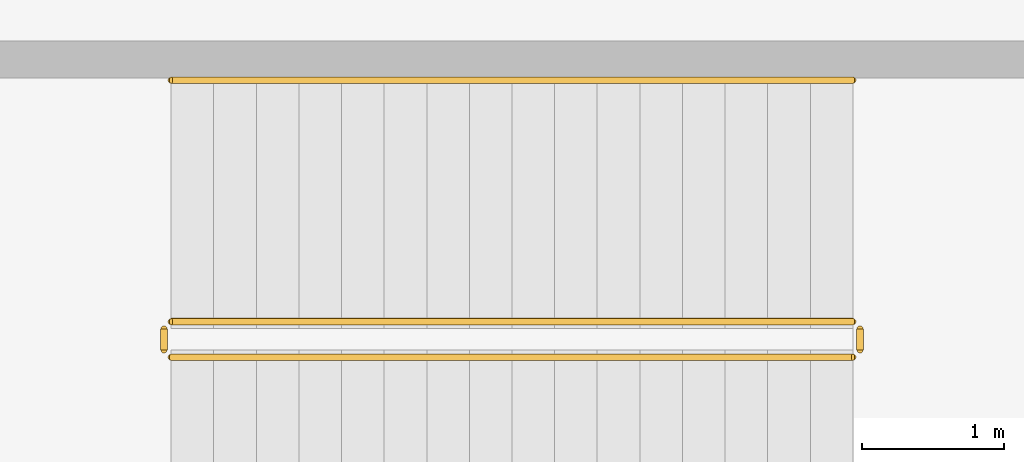
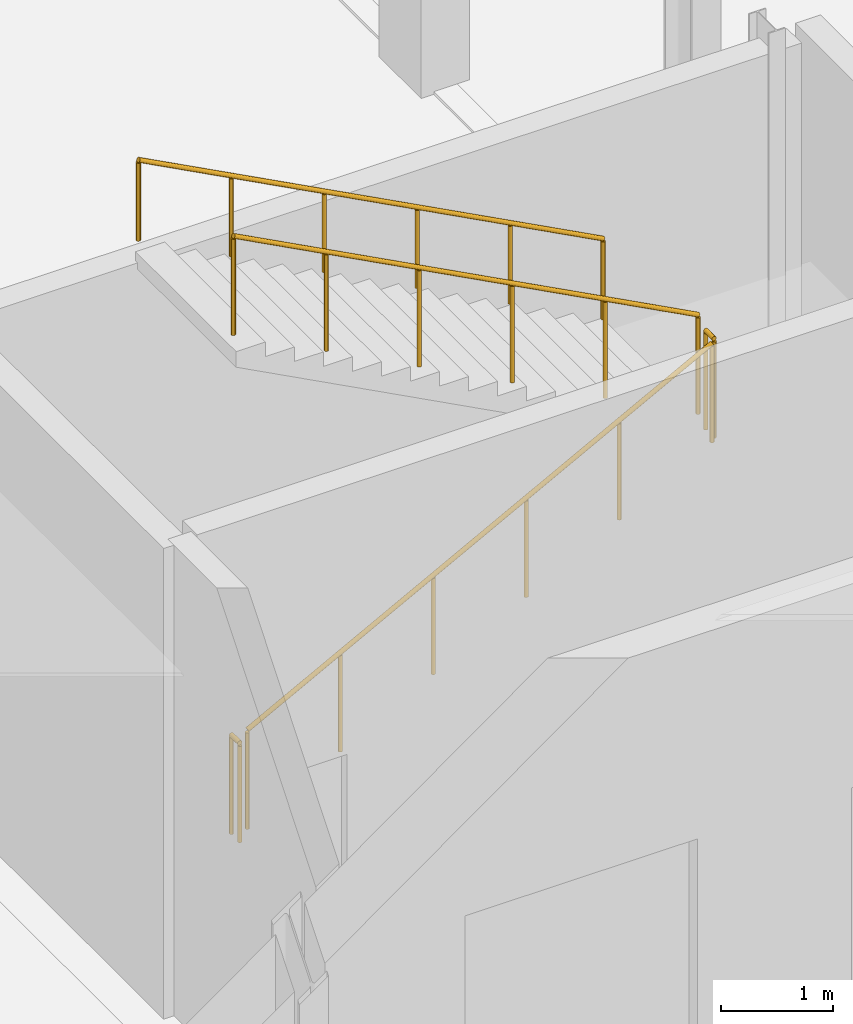
# One storey, part 64 of 84: 5 railings.
"""IFC4 building model written with IfcOpenShell, lengths in metres."""

from ifc_helpers import new_model, si_unit, direction, frame, origin, origin_2d, place, context, subcontext, project, spatial, circle, extrude, material, type_object, element, save


model = new_model("IFC4")

# Units and contexts
model_context = context("Model", 3, precision=1e-05, world=origin(), true_north=direction((0.0, 1.0)))
body_context = subcontext(model_context, "Body", "Model", "MODEL_VIEW")
ifc_project = project(units=[si_unit("LENGTHUNIT", "METRE"), si_unit("AREAUNIT", "SQUARE_METRE"), si_unit("VOLUMEUNIT", "CUBIC_METRE"), si_unit("PLANEANGLEUNIT", "RADIAN"), si_unit("MASSUNIT", "GRAM", prefix="KILO")], contexts=[model_context])

# Site, building, storey
site_placement = place(None, origin())
site = spatial("IfcSite", under=ifc_project, at=site_placement, CompositionType="ELEMENT")
building_placement = place(site_placement, origin())
building = spatial("IfcBuilding", under=site, at=building_placement, Name="Zevrakil Square Congress Hotel", CompositionType="ELEMENT")
storey_placement = place(building_placement, origin())
storey = spatial("IfcBuildingStorey", under=building, at=storey_placement, Name="L01", CompositionType="ELEMENT", Elevation=0.0)

# Railings
ifc_material_1 = material(Name="Steel S355", Category="steel")
railing_type_1 = type_object("IfcRailingType", Name="RLG-STAIR-GUARD-1100", PredefinedType="BALUSTRADE", material=ifc_material_1)
railing_1_placement = place(storey_placement, frame((47.800048828125, 11.949951171875, 0.158935546875)))
element("IfcRailing", 1, at=railing_1_placement, inside=storey, type_object=railing_type_1, Name="L01 ST12 stair guard 1", PredefinedType="BALUSTRADE", context=body_context, shape_type="SweptSolid", body=[
    extrude(circle(Radius=0.02392578125, at=origin_2d()), frame((0.0, 0.0, 1.076171875), z_axis=(0.883802130504, 0.0, 0.467860870469), x_axis=(0.0, 1.0, 0.0)), (0.0, 0.0, 1.0), 5.43115234375),
    extrude(circle(Radius=0.02099609375, at=origin_2d()), origin(), (0.0, 0.0, 1.0), 1.052001953125),
    extrude(circle(Radius=0.02099609375, at=origin_2d()), frame((0.9599609375, 0.0, 0.50830078125)), (0.0, 0.0, 1.0), 1.052001953125),
    extrude(circle(Radius=0.02099609375, at=origin_2d()), frame((1.919921875, 0.0, 1.016357421875)), (0.0, 0.0, 1.0), 1.052001953125),
    extrude(circle(Radius=0.02099609375, at=origin_2d()), frame((2.880126953125, 0.0, 1.524658203125)), (0.0, 0.0, 1.0), 1.052001953125),
    extrude(circle(Radius=0.02099609375, at=origin_2d()), frame((3.840087890625, 0.0, 2.03271484375)), (0.0, 0.0, 1.0), 1.052001953125),
    extrude(circle(Radius=0.02099609375, at=origin_2d()), frame((4.800048828125, 0.0, 2.541015625)), (0.0, 0.0, 1.0), 1.052001953125),
])
railing_2_placement = place(storey_placement, frame((52.64990234375, 12.0, 2.699951171875)))
element("IfcRailing", 2, at=railing_2_placement, inside=storey, type_object=railing_type_1, Name="L01 ST12 stair guard 2", PredefinedType="BALUSTRADE", context=body_context, shape_type="SweptSolid", body=[
    extrude(circle(Radius=0.02392578125, at=origin_2d()), frame((0.0, 0.0, 1.076171875), z_axis=(0.0, 1.0, 0.0), x_axis=(-1.0, 0.0, 0.0)), (0.0, 0.0, 1.0), 0.14990234375),
    extrude(circle(Radius=0.02099609375, at=origin_2d()), origin(), (0.0, 0.0, 1.0), 1.052001953125),
    extrude(circle(Radius=0.02099609375, at=origin_2d()), frame((0.0, 0.14990234375, 0.0)), (0.0, 0.0, 1.0), 1.052001953125),
])
railing_3_placement = place(storey_placement, frame((52.60009765625, 12.199951171875, 2.85888671875)))
element("IfcRailing", 3, at=railing_3_placement, inside=storey, type_object=railing_type_1, Name="L01 ST12 stair guard 3", PredefinedType="BALUSTRADE", context=body_context, shape_type="SweptSolid", body=[
    extrude(circle(Radius=0.02392578125, at=origin_2d()), frame((0.0, 0.0, 1.076171875), z_axis=(-0.883802130504, 0.0, 0.467860870469), x_axis=(0.0, -1.0, 0.0)), (0.0, 0.0, 1.0), 5.43115234375),
    extrude(circle(Radius=0.02099609375, at=origin_2d()), origin(), (0.0, 0.0, 1.0), 1.052001953125),
    extrude(circle(Radius=0.02099609375, at=origin_2d()), frame((-0.9599609375, 0.0, 0.50830078125)), (0.0, 0.0, 1.0), 1.052001953125),
    extrude(circle(Radius=0.02099609375, at=origin_2d()), frame((-1.919921875, 0.0, 1.016357421875)), (0.0, 0.0, 1.0), 1.052001953125),
    extrude(circle(Radius=0.02099609375, at=origin_2d()), frame((-2.880126953125, 0.0, 1.524658203125)), (0.0, 0.0, 1.0), 1.052001953125),
    extrude(circle(Radius=0.02099609375, at=origin_2d()), frame((-3.840087890625, 0.0, 2.03271484375)), (0.0, 0.0, 1.0), 1.052001953125),
    extrude(circle(Radius=0.02099609375, at=origin_2d()), frame((-4.800048828125, 0.0, 2.541015625)), (0.0, 0.0, 1.0), 1.052001953125),
])
railing_4_placement = place(storey_placement, frame((47.75, 12.0, 0.0)))
element("IfcRailing", 4, at=railing_4_placement, inside=storey, type_object=railing_type_1, Name="L01 ST12 stair guard 4", PredefinedType="BALUSTRADE", context=body_context, shape_type="SweptSolid", body=[
    extrude(circle(Radius=0.02392578125, at=origin_2d()), frame((0.0, 0.0, 1.076171875), z_axis=(0.0, 1.0, 0.0), x_axis=(-1.0, 0.0, 0.0)), (0.0, 0.0, 1.0), 0.14990234375),
    extrude(circle(Radius=0.02099609375, at=origin_2d()), origin(), (0.0, 0.0, 1.0), 1.052001953125),
    extrude(circle(Radius=0.02099609375, at=origin_2d()), frame((0.0, 0.14990234375, 0.0)), (0.0, 0.0, 1.0), 1.052001953125),
])
ifc_material_2 = material(Name="Steel S355", Category="steel")
railing_type_2 = type_object("IfcRailingType", Name="RLG-STAIR-HAND-900", PredefinedType="HANDRAIL", material=ifc_material_2)
railing_5_placement = place(storey_placement, frame((52.60009765625, 13.89990234375, 2.85888671875)))
element("IfcRailing", 5, at=railing_5_placement, inside=storey, type_object=railing_type_2, Name="L01 ST12 stair handrail 2", PredefinedType="HANDRAIL", context=body_context, shape_type="SweptSolid", body=[
    extrude(circle(Radius=0.02392578125, at=origin_2d()), frame((0.0, 0.0, 0.8759765625), z_axis=(-0.883802130504, 0.0, 0.467860870469), x_axis=(0.0, -1.0, 0.0)), (0.0, 0.0, 1.0), 5.43115234375),
    extrude(circle(Radius=0.02099609375, at=origin_2d()), origin(), (0.0, 0.0, 1.0), 0.851806640625),
    extrude(circle(Radius=0.02099609375, at=origin_2d()), frame((-0.9599609375, 0.0, 0.50830078125)), (0.0, 0.0, 1.0), 0.851806640625),
    extrude(circle(Radius=0.02099609375, at=origin_2d()), frame((-1.919921875, 0.0, 1.016357421875)), (0.0, 0.0, 1.0), 0.851806640625),
    extrude(circle(Radius=0.02099609375, at=origin_2d()), frame((-2.880126953125, 0.0, 1.524658203125)), (0.0, 0.0, 1.0), 0.851806640625),
    extrude(circle(Radius=0.02099609375, at=origin_2d()), frame((-3.840087890625, 0.0, 2.03271484375)), (0.0, 0.0, 1.0), 0.851806640625),
    extrude(circle(Radius=0.02099609375, at=origin_2d()), frame((-4.800048828125, 0.0, 2.541015625)), (0.0, 0.0, 1.0), 0.851806640625),
])

save(model, "model.ifc")
